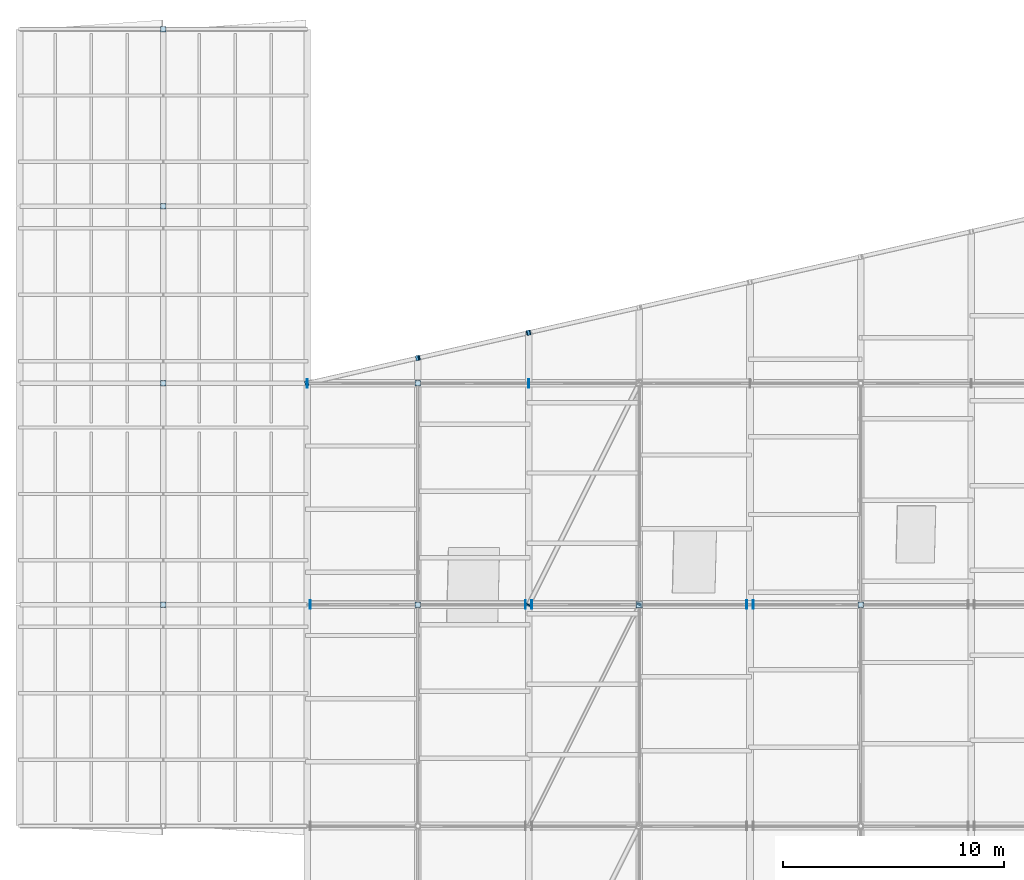
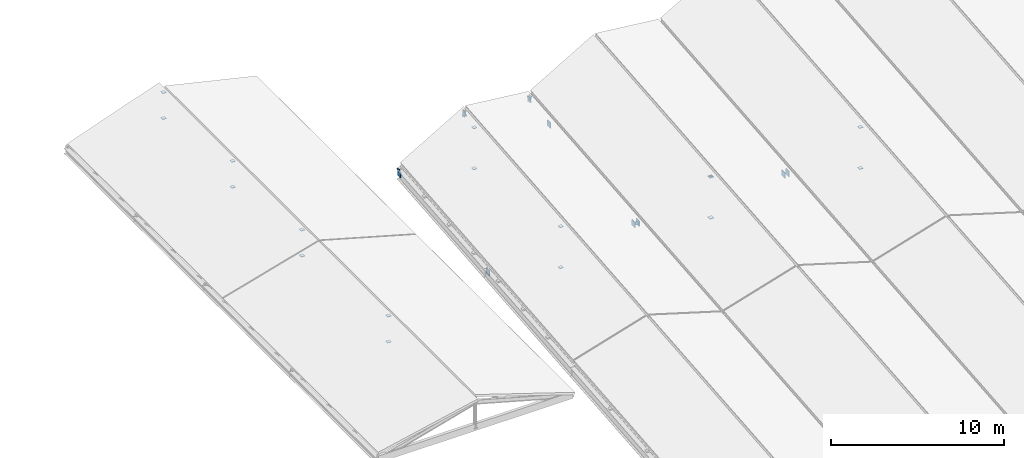
# One storey, part 84 of 90: 30 plates.
"""IFC4 building model written with IfcOpenShell, lengths in metres."""

from ifc_helpers import new_model, si_unit, direction, frame, origin, origin_2d, place, context, subcontext, project, spatial, rectangle, extrude, material, layer, layer_set, type_object, element, save


model = new_model("IFC4")

# Units and contexts
model_context = context("Model", 3, precision=1e-05, world=origin(), true_north=direction((0.0, 1.0)))
body_context = subcontext(model_context, "Body", "Model", "MODEL_VIEW")
ifc_project = project(units=[si_unit("LENGTHUNIT", "METRE"), si_unit("AREAUNIT", "SQUARE_METRE"), si_unit("VOLUMEUNIT", "CUBIC_METRE"), si_unit("PLANEANGLEUNIT", "RADIAN"), si_unit("MASSUNIT", "GRAM", prefix="KILO"), si_unit("THERMODYNAMICTEMPERATUREUNIT", "KELVIN"), si_unit("POWERUNIT", "WATT")], contexts=[model_context])

# Site, building, storey
site_placement = place(None, origin())
site = spatial("IfcSite", under=ifc_project, at=site_placement, CompositionType="ELEMENT")
building_placement = place(site_placement, origin())
building = spatial("IfcBuilding", under=site, at=building_placement, Name="Korenveer Ferry Terminal", CompositionType="ELEMENT")
storey_placement = place(building_placement, frame((0.0, 0.0, 22.199951171875)))
storey = spatial("IfcBuildingStorey", under=building, at=storey_placement, Name="RF", CompositionType="ELEMENT", Elevation=22.199951171875)

# Plates
ifc_material = material(Name="Steel S355", Category="steel")
ifc_layer_1 = layer(ifc_material, 0.031982421875)
ifc_layer_set_1 = layer_set([ifc_layer_1], Name="Steel S355")
plate_type_1 = type_object("IfcPlateType", Name="STR-PLT-CAP32", PredefinedType="USERDEFINED", material=ifc_layer_set_1)
for number, where, z_axis, x_axis, name in (
    (1, (58.0, 90.0, -6.427734375), (0.0, 0.0, 1.0), (1.0, 0.0, 0.0), "Hollow section end cap 414"),
    (2, (58.0, 90.0, -3.5361328125), (0.0, 0.0, 1.0), (1.0, 0.0, 0.0), "Hollow section end cap 415"),
):
    element("IfcPlate", number, at=place(storey_placement, frame(where, z_axis=z_axis, x_axis=x_axis)), inside=storey, type_object=plate_type_1, Name=name, ObjectType="END CAP PLATE", PredefinedType="USERDEFINED", context=body_context, shape_type="SweptSolid", body=[
        extrude(rectangle(XDim=0.2490234375, YDim=0.2490234375, at=origin_2d()), origin(), (0.0, 0.0, 1.0), 0.031982421875),
    ])
for number, where, z_axis, x_axis, name in (
    (3, (68.0, 90.0, -6.427734375), (0.0, 0.0, 1.0), (1.0, 0.0, 0.0), "Hollow section end cap 418"),
    (4, (68.0, 90.0, -3.5361328125), (0.0, 0.0, 1.0), (1.0, 0.0, 0.0), "Hollow section end cap 419"),
):
    element("IfcPlate", number, at=place(storey_placement, frame(where, z_axis=z_axis, x_axis=x_axis)), inside=storey, type_object=plate_type_1, Name=name, ObjectType="END CAP PLATE", PredefinedType="USERDEFINED", context=body_context, shape_type="SweptSolid", body=[
        extrude(rectangle(XDim=0.280029296875, YDim=0.280029296875, at=origin_2d()), origin(), (0.0, 0.0, 1.0), 0.031982421875),
    ])
for number, where, z_axis, x_axis, name in (
    (5, (78.0, 90.0, -6.427734375), (0.0, 0.0, 1.0), (1.0, 0.0, 0.0), "Hollow section end cap 422"),
    (6, (78.0, 90.0, -3.5361328125), (0.0, 0.0, 1.0), (1.0, 0.0, 0.0), "Hollow section end cap 423"),
    (7, (58.0, 100.0, -5.51953125), (0.0, 0.0, 1.0), (1.0, 0.0, 0.0), "Hollow section end cap 442"),
    (8, (58.0, 100.0, -2.6279296875), (0.0, 0.0, 1.0), (1.0, 0.0, 0.0), "Hollow section end cap 443"),
    (9, (46.5, 90.0, -7.65185546875), (0.0, 0.0, 1.0), (1.0, 0.0, 0.0), "Hollow section end cap 508"),
    (10, (46.5, 90.0, -5.81982421875), (0.0, 0.0, 1.0), (1.0, 0.0, 0.0), "Hollow section end cap 509"),
    (11, (46.5, 100.0, -7.65185546875), (0.0, 0.0, 1.0), (1.0, 0.0, 0.0), "Hollow section end cap 510"),
    (12, (46.5, 100.0, -5.81982421875), (0.0, 0.0, 1.0), (1.0, 0.0, 0.0), "Hollow section end cap 511"),
    (13, (46.5, 108.0, -7.65185546875), (0.0, 0.0, 1.0), (1.0, 0.0, 0.0), "Hollow section end cap 512"),
    (14, (46.5, 108.0, -5.81982421875), (0.0, 0.0, 1.0), (1.0, 0.0, 0.0), "Hollow section end cap 513"),
    (15, (46.5, 116.0, -7.65185546875), (0.0, 0.0, 1.0), (1.0, 0.0, 0.0), "Hollow section end cap 514"),
    (16, (46.5, 116.0, -5.81982421875), (0.0, 0.0, 1.0), (1.0, 0.0, 0.0), "Hollow section end cap 515"),
):
    element("IfcPlate", number, at=place(storey_placement, frame(where, z_axis=z_axis, x_axis=x_axis)), inside=storey, type_object=plate_type_1, Name=name, ObjectType="END CAP PLATE", PredefinedType="USERDEFINED", context=body_context, shape_type="SweptSolid", body=[
        extrude(rectangle(XDim=0.2490234375, YDim=0.2490234375, at=origin_2d()), origin(), (0.0, 0.0, 1.0), 0.031982421875),
    ])
plate_1_placement = place(storey_placement, frame((68.0, 90.0, -3.5361328125), z_axis=(0.437110268059, 0.874220536117, 0.211360043028), x_axis=(-0.894427191, 0.4472135955, 0.0)))
element("IfcPlate", 17, at=plate_1_placement, inside=storey, type_object=plate_type_1, Name="Hollow section end cap 577", ObjectType="END CAP PLATE", PredefinedType="USERDEFINED", context=body_context, shape_type="SweptSolid", body=[
    extrude(rectangle(XDim=0.1982421875, YDim=0.1982421875, at=origin_2d()), origin(), (0.0, 0.0, 1.0), 0.031982421875),
])
plate_2_placement = place(storey_placement, frame((62.98583984375, 89.97216796875, -5.052490234375), z_axis=(0.437110268059, 0.874220536117, 0.211360043028), x_axis=(-0.894427191, 0.4472135955, 0.0)))
element("IfcPlate", 18, at=plate_2_placement, inside=storey, type_object=plate_type_1, Name="Hollow section end cap 578", ObjectType="END CAP PLATE", PredefinedType="USERDEFINED", context=body_context, shape_type="SweptSolid", body=[
    extrude(rectangle(XDim=0.2490234375, YDim=0.2490234375, at=origin_2d()), origin(), (0.0, 0.0, 1.0), 0.031982421875),
])
ifc_layer_2 = layer(ifc_material, 0.0419921875)
ifc_layer_set_2 = layer_set([ifc_layer_2], Name="Steel S355")
plate_type_2 = type_object("IfcPlateType", Name="STR-PLT-CAP42", PredefinedType="USERDEFINED", material=ifc_layer_set_2)
for number, where, z_axis, x_axis, name in (
    (19, (52.9609375, 99.9912109375, -3.950439453125), (0.929929821832, 0.212555387962, 0.300084543946), (-0.222824801616, 0.974858506546, 0.0), "Hollow section end cap 240"),
    (20, (58.0, 101.142822265625, -2.32421875), (0.929929821832, 0.212555387962, 0.300084543946), (-0.222824801616, 0.974858506546, 0.0), "Hollow section end cap 241"),
    (21, (57.96044921875, 101.134033203125, -2.31298828125), (0.94017541962, 0.214897238913, -0.264365952893), (-0.222824801643, 0.97485850654, 0.0), "Hollow section end cap 242"),
    (22, (63.0, 102.285888671875, -3.72998046875), (0.94017541962, 0.214897238913, -0.264365952893), (-0.222824801643, 0.97485850654, 0.0), "Hollow section end cap 243"),
    (23, (62.9609375, 102.27685546875, -3.742919921875), (0.929929821832, 0.212555387962, 0.300084543946), (-0.222824801616, 0.974858506546, 0.0), "Hollow section end cap 244"),
):
    element("IfcPlate", number, at=place(storey_placement, frame(where, z_axis=z_axis, x_axis=x_axis)), inside=storey, type_object=plate_type_2, Name=name, ObjectType="END CAP PLATE", PredefinedType="USERDEFINED", context=body_context, shape_type="SweptSolid", body=[
        extrude(rectangle(XDim=0.22998046875, YDim=0.429931640625, at=origin_2d()), origin(), (0.0, 0.0, 1.0), 0.0419921875),
    ])
for number, where, z_axis, x_axis, name in (
    (24, (53.117919921875, 90.0, -5.045654296875), (1.0, 0.0, 0.0), (0.0, 1.0, 0.0), "Hollow section end cap 412"),
    (25, (62.840087890625, 90.0, -5.045654296875), (1.0, 0.0, 0.0), (0.0, 1.0, 0.0), "Hollow section end cap 413"),
    (26, (63.117919921875, 90.0, -5.045654296875), (1.0, 0.0, 0.0), (0.0, 1.0, 0.0), "Hollow section end cap 416"),
    (27, (72.840087890625, 90.0, -5.045654296875), (1.0, 0.0, 0.0), (0.0, 1.0, 0.0), "Hollow section end cap 417"),
    (28, (73.117919921875, 90.0, -5.045654296875), (1.0, 0.0, 0.0), (0.0, 1.0, 0.0), "Hollow section end cap 420"),
    (29, (52.97802734375, 100.0, -4.1376953125), (1.0, 0.0, 0.0), (0.0, 1.0, 0.0), "Hollow section end cap 440"),
    (30, (62.97998046875, 100.0, -4.1376953125), (1.0, 0.0, 0.0), (0.0, 1.0, 0.0), "Hollow section end cap 441"),
):
    element("IfcPlate", number, at=place(storey_placement, frame(where, z_axis=z_axis, x_axis=x_axis)), inside=storey, type_object=plate_type_2, Name=name, ObjectType="END CAP PLATE", PredefinedType="USERDEFINED", context=body_context, shape_type="SweptSolid", body=[
        extrude(rectangle(XDim=0.385498046875, YDim=0.385498046875, at=origin_2d()), origin(), (0.0, 0.0, 1.0), 0.0419921875),
    ])

save(model, "model.ifc")
